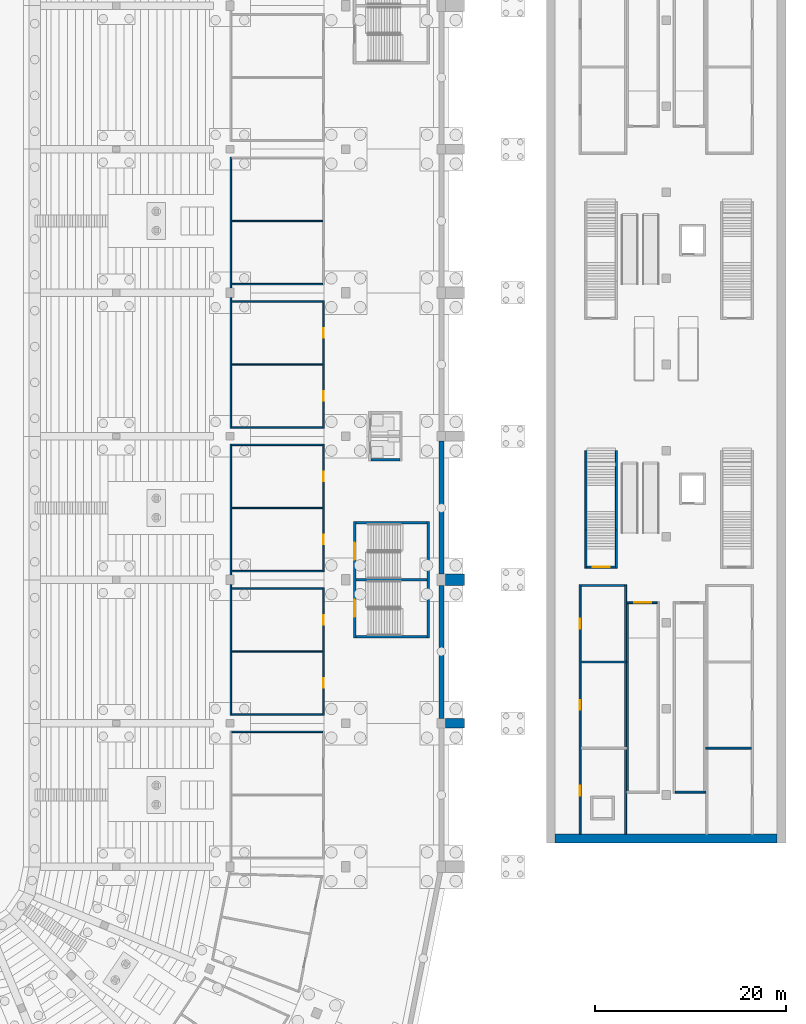
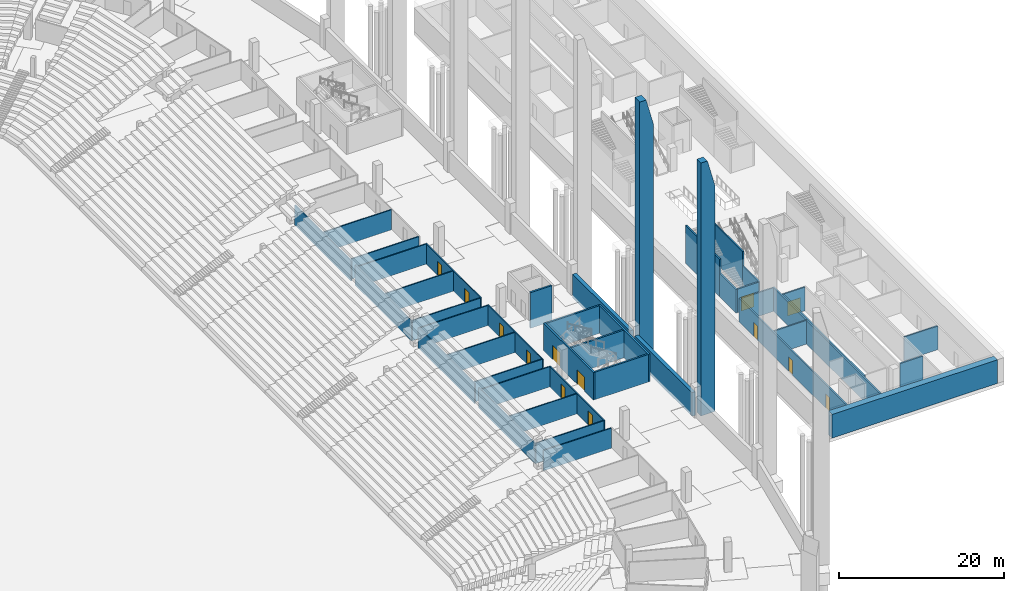
# One storey, part 28 of 115: 43 walls, 13 doors, 13 openings.
"""IFC4 building model written with IfcOpenShell, lengths in metres."""

from ifc_helpers import new_model, si_unit, direction, frame, frame_2d, origin, place, context, subcontext, project, spatial, polyline, rectangle, outline, extrude, material, layer, layer_set, type_object, element, fill, save


model = new_model("IFC4")

# Units and contexts
model_context = context("Model", 3, precision=1e-05, world=origin(), true_north=direction((0.0, 1.0)))
body_context = subcontext(model_context, "Body", "Model", "MODEL_VIEW")
ifc_project = project(units=[si_unit("LENGTHUNIT", "METRE"), si_unit("AREAUNIT", "SQUARE_METRE"), si_unit("VOLUMEUNIT", "CUBIC_METRE"), si_unit("PLANEANGLEUNIT", "RADIAN"), si_unit("MASSUNIT", "GRAM", prefix="KILO")], contexts=[model_context])

# Site, building, storey
site_placement = place(None, origin())
site = spatial("IfcSite", under=ifc_project, at=site_placement, CompositionType="ELEMENT")
building_placement = place(site_placement, origin())
building = spatial("IfcBuilding", under=site, at=building_placement, Name="Ogive Plaza Stadium", CompositionType="ELEMENT")
storey_placement = place(building_placement, frame((0.0, 0.0, -4.5)))
storey = spatial("IfcBuildingStorey", under=building, at=storey_placement, Name="B1", CompositionType="ELEMENT", Elevation=-4.5)

# Walls
ifc_material_1 = material(Name="Masonry blockwork", Category="masonry")
ifc_layer_1 = layer(ifc_material_1, 0.14990234375)
ifc_layer_set_1 = layer_set([ifc_layer_1], Name="Blockwork wall 150")
wall_type_1 = type_object("IfcWallType", Name="Blockwork wall 150", PredefinedType="SOLIDWALL", material=ifc_layer_set_1)
wall_1_placement = place(storey_placement, frame((62.0, 8.0, 0.0), z_axis=(0.0, 0.0, 1.0), x_axis=(0.0, 1.0, 0.0)))
element("IfcWall", 1, at=wall_1_placement, inside=storey, type_object=wall_type_1, Name="Wall B1 B03", PredefinedType="SOLIDWALL", context=body_context, shape_type="SweptSolid", body=[
    extrude(rectangle(XDim=13.675048828125, YDim=0.14990234375, at=frame_2d((6.83740234375, 0.0))), origin(), (0.0, 0.0, 1.0), 3.0),
])
for number, where, z_axis, x_axis, name in (
    (2, (62.074951171875, 8.39990234375, 0.0), (0.0, 0.0, 1.0), (1.0, 0.0, 0.0), "Wall B1 B03"),
    (3, (62.074951171875, 15.0, 0.0), (0.0, 0.0, 1.0), (1.0, 0.0, 0.0), "Wall B1 B03"),
):
    element("IfcWall", number, at=place(storey_placement, frame(where, z_axis=z_axis, x_axis=x_axis)), inside=storey, type_object=wall_type_1, Name=name, PredefinedType="SOLIDWALL", context=body_context, shape_type="SweptSolid", body=[
        extrude(rectangle(XDim=9.550048828125, YDim=0.14990234375, at=frame_2d((4.77490234375, 0.0))), origin(), (0.0, 0.0, 1.0), 3.0),
    ])
wall_2_placement = place(storey_placement, frame((62.0, 7.0, 0.0), z_axis=(0.0, 0.0, 1.0), x_axis=(0.0, -1.0, 0.0)))
element("IfcWall", 4, at=wall_2_placement, inside=storey, type_object=wall_type_1, Name="Wall B1 B04", PredefinedType="SOLIDWALL", context=body_context, shape_type="SweptSolid", body=[
    extrude(rectangle(XDim=13.675048828125, YDim=0.14990234375, at=frame_2d((6.83740234375, 0.0))), origin(), (0.0, 0.0, 1.0), 3.0),
])

# Wall, openings, doors
wall_3_placement = place(storey_placement, frame((71.699951171875, 6.675048828125, 0.0), z_axis=(0.0, 0.0, 1.0), x_axis=(0.0, -1.0, 0.0)))
wall_3 = element("IfcWall", 5, at=wall_3_placement, inside=storey, type_object=wall_type_1, Name="Wall B1 B04", PredefinedType="SOLIDWALL", context=body_context, shape_type="SweptSolid", body=[
    extrude(rectangle(XDim=13.35009765625, YDim=0.14990234375, at=frame_2d((6.675048828125, 0.0))), origin(), (0.0, 0.0, 1.0), 3.0),
])
opening_1_placement = place(wall_3_placement, frame((2.875, 0.0, 0.0)))
opening_1 = element("IfcOpeningElement", 6, at=opening_1_placement, cuts=wall_3, Name="Opening D0303", PredefinedType="OPENING", context=body_context, shape_type="SweptSolid", body=[
    extrude(rectangle(XDim=1.0, YDim=2.10009765625, at=frame_2d((0.5, 1.050048828125))), frame((0.0, 0.074951171875, 0.0), z_axis=(0.0, -1.0, 0.0), x_axis=(1.0, 0.0, 0.0)), (0.0, 0.0, 1.0), 0.14990234375),
])
opening_2_placement = place(wall_3_placement, frame((9.47509765625, 0.0, 0.0)))
opening_2 = element("IfcOpeningElement", 7, at=opening_2_placement, cuts=wall_3, Name="Opening D0304", PredefinedType="OPENING", context=body_context, shape_type="SweptSolid", body=[
    extrude(rectangle(XDim=1.0, YDim=2.10009765625, at=frame_2d((0.5, 1.050048828125))), frame((0.0, 0.074951171875, 0.0), z_axis=(0.0, -1.0, 0.0), x_axis=(1.0, 0.0, 0.0)), (0.0, 0.0, 1.0), 0.14990234375),
])
ifc_material_2 = material(Name="Steel ASTM A572 Grade 50", Category="steel")
door_type_1 = type_object("IfcDoorType", Name="Fire door FD60 1000 x 2100", OperationType="SINGLE_SWING_LEFT", PredefinedType="DOOR", material=ifc_material_2)
door_1_placement = place(opening_1_placement, origin())
door_1 = element("IfcDoor", 8, at=door_1_placement, inside=storey, type_object=door_type_1, Name="Away Team Changing Room B04 door", OperationType="SINGLE_SWING_RIGHT", OverallHeight=2.10009765625, OverallWidth=1.0, PredefinedType="DOOR", context=body_context, shape_type="SweptSolid", body=[
    extrude(rectangle(XDim=1.0, YDim=2.10009765625, at=frame_2d((0.5, 1.050048828125))), frame((0.0, 0.02490234375, 0.0), z_axis=(0.0, -1.0, 0.0), x_axis=(1.0, 0.0, 0.0)), (0.0, 0.0, 1.0), 0.050048828125),
])
fill(opening_1, door_1)
door_2_placement = place(opening_2_placement, origin())
door_2 = element("IfcDoor", 9, at=door_2_placement, inside=storey, type_object=door_type_1, Name="Away Team Medical Room B04 door", OperationType="SINGLE_SWING_LEFT", OverallHeight=2.10009765625, OverallWidth=1.0, PredefinedType="DOOR", context=body_context, shape_type="SweptSolid", body=[
    extrude(rectangle(XDim=1.0, YDim=2.10009765625, at=frame_2d((0.5, 1.050048828125))), frame((0.0, 0.02490234375, 0.0), z_axis=(0.0, -1.0, 0.0), x_axis=(1.0, 0.0, 0.0)), (0.0, 0.0, 1.0), 0.050048828125),
])
fill(opening_2, door_2)

# Walls
for number, where, z_axis, x_axis, name in (
    (10, (62.074951171875, 6.60009765625, 0.0), (0.0, 0.0, 1.0), (1.0, 0.0, 0.0), "Wall B1 B04"),
    (11, (62.074951171875, 0.0, 0.0), (0.0, 0.0, 1.0), (1.0, 0.0, 0.0), "Wall B1 B04"),
    (12, (62.074951171875, -6.60009765625, 0.0), (0.0, 0.0, 1.0), (1.0, 0.0, 0.0), "Wall B1 B04"),
):
    element("IfcWall", number, at=place(storey_placement, frame(where, z_axis=z_axis, x_axis=x_axis)), inside=storey, type_object=wall_type_1, Name=name, PredefinedType="SOLIDWALL", context=body_context, shape_type="SweptSolid", body=[
        extrude(rectangle(XDim=9.550048828125, YDim=0.14990234375, at=frame_2d((4.77490234375, 0.0))), origin(), (0.0, 0.0, 1.0), 3.0),
    ])
wall_4_placement = place(storey_placement, frame((62.0, -22.0, 0.0), z_axis=(0.0, 0.0, 1.0), x_axis=(0.0, 1.0, 0.0)))
element("IfcWall", 13, at=wall_4_placement, inside=storey, type_object=wall_type_1, Name="Wall B1 B05", PredefinedType="SOLIDWALL", context=body_context, shape_type="SweptSolid", body=[
    extrude(rectangle(XDim=13.675048828125, YDim=0.14990234375, at=frame_2d((6.83740234375, 0.0))), origin(), (0.0, 0.0, 1.0), 3.0),
])

# Wall, openings, doors
wall_5_placement = place(storey_placement, frame((71.699951171875, -21.675048828125, 0.0), z_axis=(0.0, 0.0, 1.0), x_axis=(0.0, 1.0, 0.0)))
wall_5 = element("IfcWall", 14, at=wall_5_placement, inside=storey, type_object=wall_type_1, Name="Wall B1 B05", PredefinedType="SOLIDWALL", context=body_context, shape_type="SweptSolid", body=[
    extrude(rectangle(XDim=13.35009765625, YDim=0.14990234375, at=frame_2d((6.675048828125, 0.0))), origin(), (0.0, 0.0, 1.0), 3.0),
])
opening_3_placement = place(wall_5_placement, frame((2.875, 0.0, 0.0)))
opening_3 = element("IfcOpeningElement", 15, at=opening_3_placement, cuts=wall_5, Name="Opening D0305", PredefinedType="OPENING", context=body_context, shape_type="SweptSolid", body=[
    extrude(rectangle(XDim=1.0, YDim=2.10009765625, at=frame_2d((0.5, 1.050048828125))), frame((0.0, 0.074951171875, 0.0), z_axis=(0.0, -1.0, 0.0), x_axis=(1.0, 0.0, 0.0)), (0.0, 0.0, 1.0), 0.14990234375),
])
opening_4_placement = place(wall_5_placement, frame((9.47509765625, 0.0, 0.0)))
opening_4 = element("IfcOpeningElement", 16, at=opening_4_placement, cuts=wall_5, Name="Opening D0306", PredefinedType="OPENING", context=body_context, shape_type="SweptSolid", body=[
    extrude(rectangle(XDim=1.0, YDim=2.10009765625, at=frame_2d((0.5, 1.050048828125))), frame((0.0, 0.074951171875, 0.0), z_axis=(0.0, -1.0, 0.0), x_axis=(1.0, 0.0, 0.0)), (0.0, 0.0, 1.0), 0.14990234375),
])
door_3_placement = place(opening_3_placement, origin())
door_3 = element("IfcDoor", 17, at=door_3_placement, inside=storey, type_object=door_type_1, Name="Away Team Medical Room B05 door", OperationType="SINGLE_SWING_LEFT", OverallHeight=2.10009765625, OverallWidth=1.0, PredefinedType="DOOR", context=body_context, shape_type="SweptSolid", body=[
    extrude(rectangle(XDim=1.0, YDim=2.10009765625, at=frame_2d((0.5, 1.050048828125))), frame((0.0, 0.02490234375, 0.0), z_axis=(0.0, -1.0, 0.0), x_axis=(1.0, 0.0, 0.0)), (0.0, 0.0, 1.0), 0.050048828125),
])
fill(opening_3, door_3)
door_4_placement = place(opening_4_placement, origin())
door_4 = element("IfcDoor", 18, at=door_4_placement, inside=storey, type_object=door_type_1, Name="Match Officials Room B05 door", OperationType="SINGLE_SWING_RIGHT", OverallHeight=2.10009765625, OverallWidth=1.0, PredefinedType="DOOR", context=body_context, shape_type="SweptSolid", body=[
    extrude(rectangle(XDim=1.0, YDim=2.10009765625, at=frame_2d((0.5, 1.050048828125))), frame((0.0, 0.02490234375, 0.0), z_axis=(0.0, -1.0, 0.0), x_axis=(1.0, 0.0, 0.0)), (0.0, 0.0, 1.0), 0.050048828125),
])
fill(opening_4, door_4)

# Walls
for number, where, z_axis, x_axis, name in (
    (19, (62.074951171875, -21.60009765625, 0.0), (0.0, 0.0, 1.0), (1.0, 0.0, 0.0), "Wall B1 B05"),
    (20, (62.074951171875, -15.0, 0.0), (0.0, 0.0, 1.0), (1.0, 0.0, 0.0), "Wall B1 B05"),
    (21, (62.074951171875, -8.39990234375, 0.0), (0.0, 0.0, 1.0), (1.0, 0.0, 0.0), "Wall B1 B05"),
):
    element("IfcWall", number, at=place(storey_placement, frame(where, z_axis=z_axis, x_axis=x_axis)), inside=storey, type_object=wall_type_1, Name=name, PredefinedType="SOLIDWALL", context=body_context, shape_type="SweptSolid", body=[
        extrude(rectangle(XDim=9.550048828125, YDim=0.14990234375, at=frame_2d((4.77490234375, 0.0))), origin(), (0.0, 0.0, 1.0), 3.0),
    ])
wall_6_placement = place(storey_placement, frame((62.0, -23.0, 0.0), z_axis=(0.0, 0.0, 1.0), x_axis=(0.0, -1.0, 0.0)))
element("IfcWall", 22, at=wall_6_placement, inside=storey, type_object=wall_type_1, Name="Wall B1 B06", PredefinedType="SOLIDWALL", context=body_context, shape_type="SweptSolid", body=[
    extrude(rectangle(XDim=13.675048828125, YDim=0.14990234375, at=frame_2d((6.83740234375, 0.0))), origin(), (0.0, 0.0, 1.0), 3.0),
])

# Wall, openings, doors
wall_7_placement = place(storey_placement, frame((71.699951171875, -23.324951171875, 0.0), z_axis=(0.0, 0.0, 1.0), x_axis=(0.0, -1.0, 0.0)))
wall_7 = element("IfcWall", 23, at=wall_7_placement, inside=storey, type_object=wall_type_1, Name="Wall B1 B06", PredefinedType="SOLIDWALL", context=body_context, shape_type="SweptSolid", body=[
    extrude(rectangle(XDim=13.35009765625, YDim=0.14990234375, at=frame_2d((6.675048828125, 0.0))), origin(), (0.0, 0.0, 1.0), 3.0),
])
opening_5_placement = place(wall_7_placement, frame((2.875, 0.0, 0.0)))
opening_5 = element("IfcOpeningElement", 24, at=opening_5_placement, cuts=wall_7, Name="Opening D0307", PredefinedType="OPENING", context=body_context, shape_type="SweptSolid", body=[
    extrude(rectangle(XDim=1.0, YDim=2.10009765625, at=frame_2d((0.5, 1.050048828125))), frame((0.0, 0.074951171875, 0.0), z_axis=(0.0, -1.0, 0.0), x_axis=(1.0, 0.0, 0.0)), (0.0, 0.0, 1.0), 0.14990234375),
])
opening_6_placement = place(wall_7_placement, frame((9.47509765625, 0.0, 0.0)))
opening_6 = element("IfcOpeningElement", 25, at=opening_6_placement, cuts=wall_7, Name="Opening D0308", PredefinedType="OPENING", context=body_context, shape_type="SweptSolid", body=[
    extrude(rectangle(XDim=1.0, YDim=2.10009765625, at=frame_2d((0.5, 1.050048828125))), frame((0.0, 0.074951171875, 0.0), z_axis=(0.0, -1.0, 0.0), x_axis=(1.0, 0.0, 0.0)), (0.0, 0.0, 1.0), 0.14990234375),
])
door_5_placement = place(opening_5_placement, origin())
door_5 = element("IfcDoor", 26, at=door_5_placement, inside=storey, type_object=door_type_1, Name="Match Officials Room B06 door", OperationType="SINGLE_SWING_RIGHT", OverallHeight=2.10009765625, OverallWidth=1.0, PredefinedType="DOOR", context=body_context, shape_type="SweptSolid", body=[
    extrude(rectangle(XDim=1.0, YDim=2.10009765625, at=frame_2d((0.5, 1.050048828125))), frame((0.0, 0.02490234375, 0.0), z_axis=(0.0, -1.0, 0.0), x_axis=(1.0, 0.0, 0.0)), (0.0, 0.0, 1.0), 0.050048828125),
])
fill(opening_5, door_5)
door_6_placement = place(opening_6_placement, origin())
door_6 = element("IfcDoor", 27, at=door_6_placement, inside=storey, type_object=door_type_1, Name="Doping Control Room B06 door", OperationType="SINGLE_SWING_LEFT", OverallHeight=2.10009765625, OverallWidth=1.0, PredefinedType="DOOR", context=body_context, shape_type="SweptSolid", body=[
    extrude(rectangle(XDim=1.0, YDim=2.10009765625, at=frame_2d((0.5, 1.050048828125))), frame((0.0, 0.02490234375, 0.0), z_axis=(0.0, -1.0, 0.0), x_axis=(1.0, 0.0, 0.0)), (0.0, 0.0, 1.0), 0.050048828125),
])
fill(opening_6, door_6)

# Walls
for number, where, z_axis, x_axis, name in (
    (28, (62.074951171875, -23.39990234375, 0.0), (0.0, 0.0, 1.0), (1.0, 0.0, 0.0), "Wall B1 B06"),
    (29, (62.074951171875, -30.0, 0.0), (0.0, 0.0, 1.0), (1.0, 0.0, 0.0), "Wall B1 B06"),
    (30, (62.074951171875, -36.60009765625, 0.0), (0.0, 0.0, 1.0), (1.0, 0.0, 0.0), "Wall B1 B06"),
    (31, (62.074951171875, -38.39990234375, 0.0), (0.0, 0.0, 1.0), (1.0, 0.0, 0.0), "Wall B1 B07"),
):
    element("IfcWall", number, at=place(storey_placement, frame(where, z_axis=z_axis, x_axis=x_axis)), inside=storey, type_object=wall_type_1, Name=name, PredefinedType="SOLIDWALL", context=body_context, shape_type="SweptSolid", body=[
        extrude(rectangle(XDim=9.550048828125, YDim=0.14990234375, at=frame_2d((4.77490234375, 0.0))), origin(), (0.0, 0.0, 1.0), 3.0),
    ])
ifc_material_3 = material(Name="Concrete C45/55 precast", Category="concrete")
ifc_layer_2 = layer(ifc_material_3, 0.949951171875)
ifc_material_4 = material(Name="Cast stone (reconstituted limestone)", Category="masonry")
ifc_layer_3 = layer(ifc_material_4, 0.050048828125)
ifc_layer_set_2 = layer_set([ifc_layer_2, ifc_layer_3], Name="Concrete C45/55 precast, cast stone facing")
wall_type_2 = type_object("IfcWallType", Name="Buttress pier 1000", PredefinedType="SOLIDWALL", material=ifc_layer_set_2)
wall_8_placement = place(storey_placement, frame((84.449951171875, -37.5, 0.0), z_axis=(0.0, 0.0, 1.0), x_axis=(1.0, 0.0, 0.0)))
element("IfcWall", 32, at=wall_8_placement, inside=storey, type_object=wall_type_2, Name="BUTTRESS PIER R07", PredefinedType="SOLIDWALL", context=body_context, shape_type="SweptSolid", body=[
    extrude(outline(polyline([(0.0, 0.0), (1.949951171875, 0.0), (1.949951171875, 33.5), (0.89990234375, 37.5), (0.0, 37.5), (0.0, 0.0)])), frame((0.0, 0.5, 0.0), z_axis=(0.0, -1.0, 0.0), x_axis=(1.0, 0.0, 0.0)), (0.0, 0.0, 1.0), 1.0),
])
ifc_material_5 = material(Name="Concrete C45/55 precast", Category="concrete")
ifc_layer_4 = layer(ifc_material_5, 1.14990234375)
ifc_material_6 = material(Name="Cast stone (reconstituted limestone)", Category="masonry")
ifc_layer_5 = layer(ifc_material_6, 0.050048828125)
ifc_layer_set_3 = layer_set([ifc_layer_4, ifc_layer_5], Name="Concrete C45/55 precast, cast stone facing")
wall_type_3 = type_object("IfcWallType", Name="Buttress pier 1200", PredefinedType="SOLIDWALL", material=ifc_layer_set_3)
wall_9_placement = place(storey_placement, frame((84.449951171875, -22.5, 0.0), z_axis=(0.0, 0.0, 1.0), x_axis=(1.0, 0.0, 0.0)))
element("IfcWall", 33, at=wall_9_placement, inside=storey, type_object=wall_type_3, Name="BUTTRESS PIER R06", PredefinedType="SOLIDWALL", context=body_context, shape_type="SweptSolid", body=[
    extrude(outline(polyline([(0.0, 0.0), (1.949951171875, 0.0), (1.949951171875, 33.5), (0.89990234375, 37.5), (0.0, 37.5), (0.0, 0.0)])), frame((0.0, 0.60009765625, 0.0), z_axis=(0.0, -1.0, 0.0), x_axis=(1.0, 0.0, 0.0)), (0.0, 0.0, 1.0), 1.199951171875),
])

# Wall, openings, doors
ifc_material_7 = material(Name="Concrete C40/50", Category="concrete")
ifc_layer_6 = layer(ifc_material_7, 0.25)
ifc_layer_set_4 = layer_set([ifc_layer_6], Name="Concrete C40/50")
wall_type_4 = type_object("IfcWallType", Name="Core wall 250", PredefinedType="SHEAR", material=ifc_layer_set_4)
wall_10_placement = place(storey_placement, frame((74.925048828125, -28.574951171875, 0.0), z_axis=(0.0, 0.0, 1.0), x_axis=(0.0, 1.0, 0.0)))
wall_10 = element("IfcWall", 34, at=wall_10_placement, inside=storey, type_object=wall_type_4, Name="Stair core R06 inner wall", PredefinedType="SHEAR", context=body_context, shape_type="SweptSolid", body=[
    extrude(rectangle(XDim=12.14990234375, YDim=0.25, at=frame_2d((6.074951171875, 0.0))), origin(), (0.0, 0.0, 1.0), 4.090087890625),
])
opening_7_placement = place(wall_10_placement, frame((2.199951171875, 0.0, 0.0)))
opening_7 = element("IfcOpeningElement", 35, at=opening_7_placement, cuts=wall_10, Name="Opening D0067", PredefinedType="OPENING", context=body_context, shape_type="SweptSolid", body=[
    extrude(rectangle(XDim=1.800048828125, YDim=2.10009765625, at=frame_2d((0.89990234375, 1.050048828125))), frame((0.0, 0.125, 0.0), z_axis=(0.0, -1.0, 0.0), x_axis=(1.0, 0.0, 0.0)), (0.0, 0.0, 1.0), 0.25),
])
opening_8_placement = place(wall_10_placement, frame((8.14990234375, 0.0, 0.0)))
opening_8 = element("IfcOpeningElement", 36, at=opening_8_placement, cuts=wall_10, Name="Opening D0068", PredefinedType="OPENING", context=body_context, shape_type="SweptSolid", body=[
    extrude(rectangle(XDim=1.800048828125, YDim=2.10009765625, at=frame_2d((0.89990234375, 1.050048828125))), frame((0.0, 0.125, 0.0), z_axis=(0.0, -1.0, 0.0), x_axis=(1.0, 0.0, 0.0)), (0.0, 0.0, 1.0), 0.25),
])
ifc_material_8 = material(Name="Steel ASTM A572 Grade 50", Category="steel")
door_type_2 = type_object("IfcDoorType", Name="Fire door FD90 pair 1800 x 2100", OperationType="DOUBLE_DOOR_SINGLE_SWING", PredefinedType="DOOR", material=ifc_material_8)
door_7_placement = place(opening_7_placement, origin())
door_7 = element("IfcDoor", 37, at=door_7_placement, inside=storey, type_object=door_type_2, Name="Exit stair R06A door B1", OperationType="DOUBLE_DOOR_SINGLE_SWING", OverallHeight=2.10009765625, OverallWidth=1.800048828125, PredefinedType="DOOR", context=body_context, shape_type="SweptSolid", body=[
    extrude(rectangle(XDim=1.800048828125, YDim=2.10009765625, at=frame_2d((0.89990234375, 1.050048828125))), frame((0.0, 0.02490234375, 0.0), z_axis=(0.0, -1.0, 0.0), x_axis=(1.0, 0.0, 0.0)), (0.0, 0.0, 1.0), 0.050048828125),
])
fill(opening_7, door_7)
door_8_placement = place(opening_8_placement, origin())
door_8 = element("IfcDoor", 38, at=door_8_placement, inside=storey, type_object=door_type_2, Name="Exit stair R06B door B1", OperationType="DOUBLE_DOOR_SINGLE_SWING", OverallHeight=2.10009765625, OverallWidth=1.800048828125, PredefinedType="DOOR", context=body_context, shape_type="SweptSolid", body=[
    extrude(rectangle(XDim=1.800048828125, YDim=2.10009765625, at=frame_2d((0.89990234375, 1.050048828125))), frame((0.0, 0.02490234375, 0.0), z_axis=(0.0, -1.0, 0.0), x_axis=(1.0, 0.0, 0.0)), (0.0, 0.0, 1.0), 0.050048828125),
])
fill(opening_8, door_8)

# Walls
wall_11_placement = place(storey_placement, frame((82.635009765625, -28.574951171875, 0.0), z_axis=(0.0, 0.0, 1.0), x_axis=(0.0, 1.0, 0.0)))
element("IfcWall", 39, at=wall_11_placement, inside=storey, type_object=wall_type_4, Name="Stair core R06 outer wall", PredefinedType="SHEAR", context=body_context, shape_type="SweptSolid", body=[
    extrude(rectangle(XDim=12.14990234375, YDim=0.25, at=frame_2d((6.074951171875, 0.0))), origin(), (0.0, 0.0, 1.0), 4.090087890625),
])
for number, where, z_axis, x_axis, name in (
    (40, (75.050048828125, -28.449951171875, 0.0), (0.0, 0.0, 1.0), (1.0, 0.0, 0.0), "Stair core R06 side wall"),
    (41, (75.050048828125, -16.550048828125, 0.0), (0.0, 0.0, 1.0), (1.0, 0.0, 0.0), "Stair core R06 side wall"),
    (42, (75.050048828125, -22.5, 0.0), (0.0, 0.0, 1.0), (1.0, 0.0, 0.0), "Stair core R06 centre wall"),
):
    element("IfcWall", number, at=place(storey_placement, frame(where, z_axis=z_axis, x_axis=x_axis)), inside=storey, type_object=wall_type_4, Name=name, PredefinedType="SHEAR", context=body_context, shape_type="SweptSolid", body=[
        extrude(rectangle(XDim=7.4599609375, YDim=0.25, at=frame_2d((3.72998046875, 0.0))), origin(), (0.0, 0.0, 1.0), 4.090087890625),
    ])
ifc_material_9 = material(Name="Concrete C40/50", Category="concrete")
ifc_layer_7 = layer(ifc_material_9, 0.25)
ifc_layer_set_5 = layer_set([ifc_layer_7], Name="Concrete C40/50")
wall_type_5 = type_object("IfcWallType", Name="Core wall 250 A", PredefinedType="SHEAR", material=ifc_layer_set_5)
wall_12_placement = place(storey_placement, frame((76.64990234375, -9.949951171875, -1.199951171875), z_axis=(0.0, 0.0, 1.0), x_axis=(1.0, 0.0, 0.0)))
element("IfcWall", 43, at=wall_12_placement, inside=storey, type_object=wall_type_5, Name="Lift core LP05 side wall", PredefinedType="SHEAR", context=body_context, shape_type="SweptSolid", body=[
    extrude(rectangle(XDim=3.0, YDim=0.25, at=frame_2d((1.5, 0.0))), origin(), (0.0, 0.0, 1.0), 5.2900390625),
])
ifc_material_10 = material(Name="Concrete C35/45", Category="concrete")
ifc_layer_8 = layer(ifc_material_10, 0.89990234375)
ifc_layer_set_6 = layer_set([ifc_layer_8], Name="Concrete C35/45")
wall_type_6 = type_object("IfcWallType", Name="Diaphragm wall 900", PredefinedType="STANDARD", material=ifc_layer_set_6)
wall_13_placement = place(storey_placement, frame((95.89990234375, -49.550048828125, 0.0), z_axis=(0.0, 0.0, 1.0), x_axis=(1.0, 0.0, 0.0)))
element("IfcWall", 44, at=wall_13_placement, inside=storey, type_object=wall_type_6, Name="Diaphragm wall 900 B1 south", PredefinedType="STANDARD", context=body_context, shape_type="SweptSolid", body=[
    extrude(rectangle(XDim=23.2001953125, YDim=0.89990234375, at=frame_2d((11.60009765625, 0.0))), origin(), (0.0, 0.0, 1.0), 3.5),
])
ifc_material_11 = material(Name="Concrete C40/50", Category="concrete")
ifc_layer_9 = layer(ifc_material_11, 0.5)
ifc_layer_set_7 = layer_set([ifc_layer_9], Name="Concrete C40/50")
wall_type_7 = type_object("IfcWallType", Name="RC retaining wall 500", PredefinedType="SOLIDWALL", material=ifc_layer_set_7)
for number, where, z_axis, x_axis, name in (
    (45, (84.0, -8.0, -0.39990234375), (0.0, 0.0, 1.0), (0.0, -1.0, 0.0), "Retaining wall B05"),
    (46, (84.0, -23.10009765625, -0.39990234375), (0.0, 0.0, 1.0), (0.0, -1.0, 0.0), "Retaining wall B06"),
):
    element("IfcWall", number, at=place(storey_placement, frame(where, z_axis=z_axis, x_axis=x_axis)), inside=storey, type_object=wall_type_7, Name=name, PredefinedType="SOLIDWALL", context=body_context, shape_type="SweptSolid", body=[
        extrude(rectangle(XDim=13.89990234375, YDim=0.5, at=frame_2d((6.949951171875, 0.0))), origin(), (0.0, 0.0, 1.0), 3.489990234375),
    ])

# Wall, openings, doors
ifc_material_12 = material(Name="Masonry blockwork", Category="masonry")
ifc_layer_10 = layer(ifc_material_12, 0.199951171875)
ifc_layer_set_8 = layer_set([ifc_layer_10], Name="Room partition 200")
wall_type_8 = type_object("IfcWallType", Name="Room partition 200", PredefinedType="PARTITIONING", material=ifc_layer_set_8)
wall_14_placement = place(storey_placement, frame((98.5, -49.10009765625, 0.0), z_axis=(0.0, 0.0, 1.0), x_axis=(0.0, 1.0, 0.0)))
wall_14 = element("IfcWall", 47, at=wall_14_placement, inside=storey, type_object=wall_type_8, Name="Room partition 200 B1", PredefinedType="PARTITIONING", context=body_context, shape_type="SweptSolid", body=[
    extrude(rectangle(XDim=26.10009765625, YDim=0.199951171875, at=frame_2d((13.050048828125, 0.0))), origin(), (0.0, 0.0, 1.0), 3.5),
])
opening_9_placement = place(wall_14_placement, frame((4.050048828125, 0.0, 0.0)))
opening_9 = element("IfcOpeningElement", 48, at=opening_9_placement, cuts=wall_14, Name="Opening SD023", PredefinedType="OPENING", context=body_context, shape_type="SweptSolid", body=[
    extrude(rectangle(XDim=1.0, YDim=2.10009765625, at=frame_2d((0.5, 1.050048828125))), frame((0.0, 0.10009765625, 0.0), z_axis=(0.0, -1.0, 0.0), x_axis=(1.0, 0.0, 0.0)), (0.0, 0.0, 1.0), 0.199951171875),
])
opening_10_placement = place(wall_14_placement, frame((13.0, 0.0, 0.0)))
opening_10 = element("IfcOpeningElement", 49, at=opening_10_placement, cuts=wall_14, Name="Opening SD024", PredefinedType="OPENING", context=body_context, shape_type="SweptSolid", body=[
    extrude(rectangle(XDim=1.0, YDim=2.10009765625, at=frame_2d((0.5, 1.050048828125))), frame((0.0, 0.10009765625, 0.0), z_axis=(0.0, -1.0, 0.0), x_axis=(1.0, 0.0, 0.0)), (0.0, 0.0, 1.0), 0.199951171875),
])
opening_11_placement = place(wall_14_placement, frame((21.5, 0.0, 0.0)))
opening_11 = element("IfcOpeningElement", 50, at=opening_11_placement, cuts=wall_14, Name="Opening SD025", PredefinedType="OPENING", context=body_context, shape_type="SweptSolid", body=[
    extrude(rectangle(XDim=1.0, YDim=2.10009765625, at=frame_2d((0.5, 1.050048828125))), frame((0.0, 0.10009765625, 0.0), z_axis=(0.0, -1.0, 0.0), x_axis=(1.0, 0.0, 0.0)), (0.0, 0.0, 1.0), 0.199951171875),
])
ifc_material_13 = material(Name="Steel ASTM A572 Grade 50", Category="steel")
door_type_3 = type_object("IfcDoorType", Name="Fire door FD30S 1000 x 2100", OperationType="SINGLE_SWING_LEFT", PredefinedType="DOOR", material=ifc_material_13)
door_9_placement = place(opening_9_placement, origin())
door_9 = element("IfcDoor", 51, at=door_9_placement, inside=storey, type_object=door_type_3, Name="Door SD023", OperationType="SINGLE_SWING_LEFT", OverallHeight=2.10009765625, OverallWidth=1.0, PredefinedType="DOOR", context=body_context, shape_type="SweptSolid", body=[
    extrude(rectangle(XDim=1.0, YDim=2.10009765625, at=frame_2d((0.5, 1.050048828125))), frame((0.0, 0.02490234375, 0.0), z_axis=(0.0, -1.0, 0.0), x_axis=(1.0, 0.0, 0.0)), (0.0, 0.0, 1.0), 0.050048828125),
])
fill(opening_9, door_9)
door_10_placement = place(opening_10_placement, origin())
door_10 = element("IfcDoor", 52, at=door_10_placement, inside=storey, type_object=door_type_3, Name="Door SD024", OperationType="SINGLE_SWING_RIGHT", OverallHeight=2.10009765625, OverallWidth=1.0, PredefinedType="DOOR", context=body_context, shape_type="SweptSolid", body=[
    extrude(rectangle(XDim=1.0, YDim=2.10009765625, at=frame_2d((0.5, 1.050048828125))), frame((0.0, 0.02490234375, 0.0), z_axis=(0.0, -1.0, 0.0), x_axis=(1.0, 0.0, 0.0)), (0.0, 0.0, 1.0), 0.050048828125),
])
fill(opening_10, door_10)
door_11_placement = place(opening_11_placement, origin())
door_11 = element("IfcDoor", 53, at=door_11_placement, inside=storey, type_object=door_type_3, Name="Door SD025", OperationType="SINGLE_SWING_RIGHT", OverallHeight=2.10009765625, OverallWidth=1.0, PredefinedType="DOOR", context=body_context, shape_type="SweptSolid", body=[
    extrude(rectangle(XDim=1.0, YDim=2.10009765625, at=frame_2d((0.5, 1.050048828125))), frame((0.0, 0.02490234375, 0.0), z_axis=(0.0, -1.0, 0.0), x_axis=(1.0, 0.0, 0.0)), (0.0, 0.0, 1.0), 0.050048828125),
])
fill(opening_11, door_11)

# Walls
wall_15_placement = place(storey_placement, frame((103.25, -49.10009765625, 0.0), z_axis=(0.0, 0.0, 1.0), x_axis=(0.0, 1.0, 0.0)))
element("IfcWall", 54, at=wall_15_placement, inside=storey, type_object=wall_type_8, Name="Room partition 200 B1", PredefinedType="PARTITIONING", context=body_context, shape_type="SweptSolid", body=[
    extrude(rectangle(XDim=26.10009765625, YDim=0.199951171875, at=frame_2d((13.050048828125, 0.0))), origin(), (0.0, 0.0, 1.0), 3.5),
])
wall_16_placement = place(storey_placement, frame((98.60009765625, -31.10009765625, 0.0), z_axis=(0.0, 0.0, 1.0), x_axis=(1.0, 0.0, 0.0)))
element("IfcWall", 55, at=wall_16_placement, inside=storey, type_object=wall_type_8, Name="Room partition 200 B1", PredefinedType="PARTITIONING", context=body_context, shape_type="SweptSolid", body=[
    extrude(rectangle(XDim=4.75, YDim=0.199951171875, at=frame_2d((2.375, 0.0))), origin(), (0.0, 0.0, 1.0), 3.5),
])
wall_17_placement = place(storey_placement, frame((98.60009765625, -23.10009765625, 0.0), z_axis=(0.0, 0.0, 1.0), x_axis=(1.0, 0.0, 0.0)))
element("IfcWall", 56, at=wall_17_placement, inside=storey, type_object=wall_type_8, Name="Room partition 200 B1", PredefinedType="PARTITIONING", context=body_context, shape_type="SweptSolid", body=[
    extrude(rectangle(XDim=4.5498046875, YDim=0.199951171875, at=frame_2d((2.27490234375, 0.0))), origin(), (0.0, 0.0, 1.0), 3.5),
])
wall_18_placement = place(storey_placement, frame((111.64990234375, -40.10009765625, 0.0), z_axis=(0.0, 0.0, 1.0), x_axis=(1.0, 0.0, 0.0)))
element("IfcWall", 57, at=wall_18_placement, inside=storey, type_object=wall_type_8, Name="Room partition 200 B1", PredefinedType="PARTITIONING", context=body_context, shape_type="SweptSolid", body=[
    extrude(rectangle(XDim=4.75, YDim=0.199951171875, at=frame_2d((2.375, 0.0))), origin(), (0.0, 0.0, 1.0), 3.5),
])
ifc_material_14 = material(Name="Concrete C40/50", Category="concrete")
ifc_layer_11 = layer(ifc_material_14, 0.199951171875)
ifc_layer_set_9 = layer_set([ifc_layer_11], Name="Concrete C40/50")
wall_type_9 = type_object("IfcWallType", Name="Stair enclosure wall 200", PredefinedType="SHEAR", material=ifc_layer_set_9)
wall_19_placement = place(storey_placement, frame((103.449951171875, -44.800048828125, 0.0), z_axis=(0.0, 0.0, 1.0), x_axis=(0.0, 1.0, 0.0)))
element("IfcWall", 58, at=wall_19_placement, inside=storey, type_object=wall_type_9, Name="Stair enclosure wall 200 B1 west", PredefinedType="SHEAR", context=body_context, shape_type="SweptSolid", body=[
    extrude(rectangle(XDim=20.0, YDim=0.199951171875, at=frame_2d((10.0, 0.0))), origin(), (0.0, 0.0, 1.0), 3.5),
])

# Wall, opening, door
wall_20_placement = place(storey_placement, frame((103.35009765625, -24.89990234375, 0.0), z_axis=(0.0, 0.0, 1.0), x_axis=(1.0, 0.0, 0.0)))
wall_20 = element("IfcWall", 59, at=wall_20_placement, inside=storey, type_object=wall_type_9, Name="Stair enclosure wall 200 B1 north", PredefinedType="SHEAR", context=body_context, shape_type="SweptSolid", body=[
    extrude(rectangle(XDim=3.199951171875, YDim=0.199951171875, at=frame_2d((1.60009765625, 0.0))), origin(), (0.0, 0.0, 1.0), 3.5),
])
opening_12_placement = place(wall_20_placement, frame((0.800048828125, 0.0, 0.0)))
opening_12 = element("IfcOpeningElement", 60, at=opening_12_placement, cuts=wall_20, Name="Opening SD002", PredefinedType="OPENING", context=body_context, shape_type="SweptSolid", body=[
    extrude(rectangle(XDim=1.800048828125, YDim=2.10009765625, at=frame_2d((0.89990234375, 1.050048828125))), frame((0.0, 0.10009765625, 0.0), z_axis=(0.0, -1.0, 0.0), x_axis=(1.0, 0.0, 0.0)), (0.0, 0.0, 1.0), 0.199951171875),
])
ifc_material_15 = material(Name="Steel fire door set", Category="steel")
door_type_4 = type_object("IfcDoorType", Name="Fire door double FD60 1800 x 2100", OperationType="DOUBLE_DOOR_SINGLE_SWING", PredefinedType="DOOR", material=ifc_material_15)
door_12_placement = place(opening_12_placement, origin())
door_12 = element("IfcDoor", 61, at=door_12_placement, inside=storey, type_object=door_type_4, Name="Door SD002", OperationType="DOUBLE_DOOR_SINGLE_SWING", OverallHeight=2.10009765625, OverallWidth=1.800048828125, PredefinedType="DOOR", context=body_context, shape_type="SweptSolid", body=[
    extrude(rectangle(XDim=1.800048828125, YDim=2.10009765625, at=frame_2d((0.89990234375, 1.050048828125))), frame((0.0, 0.02490234375, 0.0), z_axis=(0.0, -1.0, 0.0), x_axis=(1.0, 0.0, 0.0)), (0.0, 0.0, 1.0), 0.050048828125),
])
fill(opening_12, door_12)

# Walls
wall_21_placement = place(storey_placement, frame((108.449951171875, -44.699951171875, 0.0), z_axis=(0.0, 0.0, 1.0), x_axis=(1.0, 0.0, 0.0)))
element("IfcWall", 62, at=wall_21_placement, inside=storey, type_object=wall_type_9, Name="Stair enclosure wall 200 B1 south", PredefinedType="SHEAR", context=body_context, shape_type="SweptSolid", body=[
    extrude(rectangle(XDim=3.199951171875, YDim=0.199951171875, at=frame_2d((1.60009765625, 0.0))), origin(), (0.0, 0.0, 1.0), 3.5),
])
for number, where, z_axis, x_axis, name in (
    (63, (99.10009765625, -21.280029296875, 0.0), (0.0, 0.0, 1.0), (0.0, 1.0, 0.0), "Stair enclosure wall 200 B1 west"),
    (64, (102.300048828125, -21.280029296875, 0.0), (0.0, 0.0, 1.0), (0.0, 1.0, 0.0), "Stair enclosure wall 200 B1 east"),
):
    element("IfcWall", number, at=place(storey_placement, frame(where, z_axis=z_axis, x_axis=x_axis)), inside=storey, type_object=wall_type_9, Name=name, PredefinedType="SHEAR", context=body_context, shape_type="SweptSolid", body=[
        extrude(rectangle(XDim=3.96630859375, YDim=0.199951171875, at=frame_2d((1.983154296875, 0.0))), origin(), (0.0, 0.0, 1.0), 3.5),
    ])

# Wall, opening, door
wall_22_placement = place(storey_placement, frame((99.199951171875, -21.179931640625, 0.0), z_axis=(0.0, 0.0, 1.0), x_axis=(1.0, 0.0, 0.0)))
wall_22 = element("IfcWall", 65, at=wall_22_placement, inside=storey, type_object=wall_type_9, Name="Stair enclosure wall 200 B1 south", PredefinedType="SHEAR", context=body_context, shape_type="SweptSolid", body=[
    extrude(rectangle(XDim=3.0, YDim=0.199951171875, at=frame_2d((1.5, 0.0))), origin(), (0.0, 0.0, 1.0), 3.5),
])
opening_13_placement = place(wall_22_placement, frame((0.60009765625, 0.0, 0.0)))
opening_13 = element("IfcOpeningElement", 66, at=opening_13_placement, cuts=wall_22, Name="Opening SD012", PredefinedType="OPENING", context=body_context, shape_type="SweptSolid", body=[
    extrude(rectangle(XDim=1.800048828125, YDim=2.10009765625, at=frame_2d((0.89990234375, 1.050048828125))), frame((0.0, 0.10009765625, 0.0), z_axis=(0.0, -1.0, 0.0), x_axis=(1.0, 0.0, 0.0)), (0.0, 0.0, 1.0), 0.199951171875),
])
door_13_placement = place(opening_13_placement, origin())
door_13 = element("IfcDoor", 67, at=door_13_placement, inside=storey, type_object=door_type_4, Name="Door SD012", OperationType="DOUBLE_DOOR_SINGLE_SWING", OverallHeight=2.10009765625, OverallWidth=1.800048828125, PredefinedType="DOOR", context=body_context, shape_type="SweptSolid", body=[
    extrude(rectangle(XDim=1.800048828125, YDim=2.10009765625, at=frame_2d((0.89990234375, 1.050048828125))), frame((0.0, 0.02490234375, 0.0), z_axis=(0.0, -1.0, 0.0), x_axis=(1.0, 0.0, 0.0)), (0.0, 0.0, 1.0), 0.050048828125),
])
fill(opening_13, door_13)

# Walls
ifc_material_16 = material(Name="Concrete C40/50", Category="concrete")
ifc_layer_12 = layer(ifc_material_16, 0.199951171875)
ifc_layer_set_10 = layer_set([ifc_layer_12], Name="Concrete C40/50")
wall_type_10 = type_object("IfcWallType", Name="Stair enclosure wall 200 A", PredefinedType="SHEAR", material=ifc_layer_set_10)
for number, where, z_axis, x_axis, name in (
    (68, (99.10009765625, -17.313720703125, 0.0), (0.0, 0.0, 1.0), (0.0, 1.0, 0.0), "Stair enclosure wall 200 B1 west"),
    (69, (102.300048828125, -17.313720703125, 0.0), (0.0, 0.0, 1.0), (0.0, 1.0, 0.0), "Stair enclosure wall 200 B1 east"),
):
    element("IfcWall", number, at=place(storey_placement, frame(where, z_axis=z_axis, x_axis=x_axis)), inside=storey, type_object=wall_type_10, Name=name, PredefinedType="SHEAR", context=body_context, shape_type="SweptSolid", body=[
        extrude(rectangle(XDim=8.313720703125, YDim=0.199951171875, at=frame_2d((4.15673828125, 0.0))), origin(), (0.0, 0.0, 1.0), 5.60009765625),
    ])

save(model, "model.ifc")
